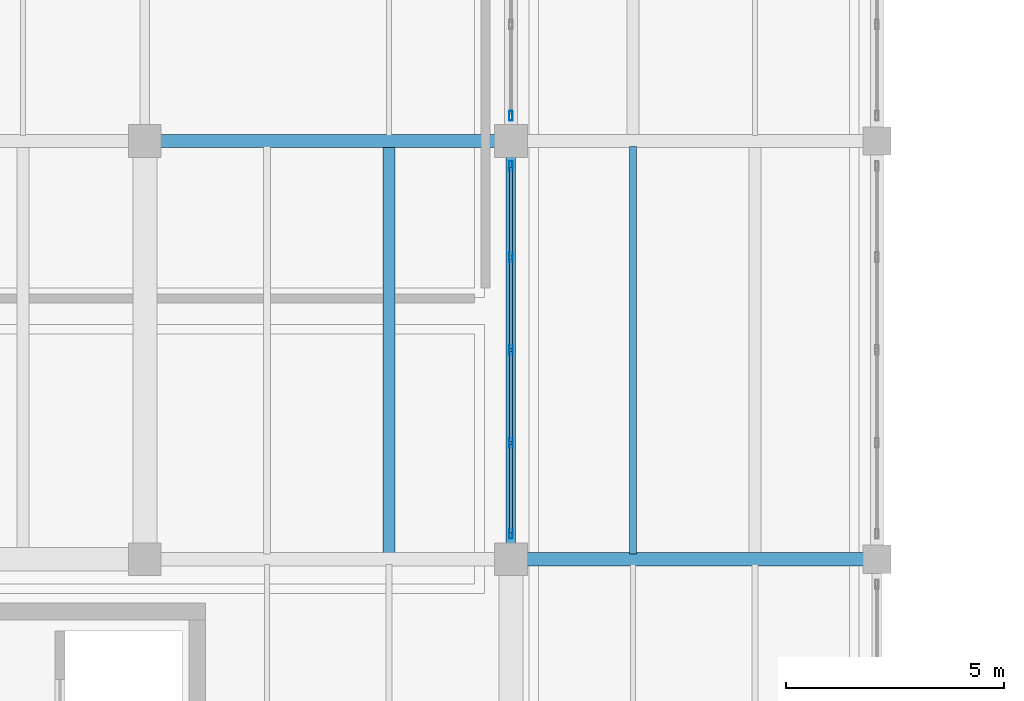
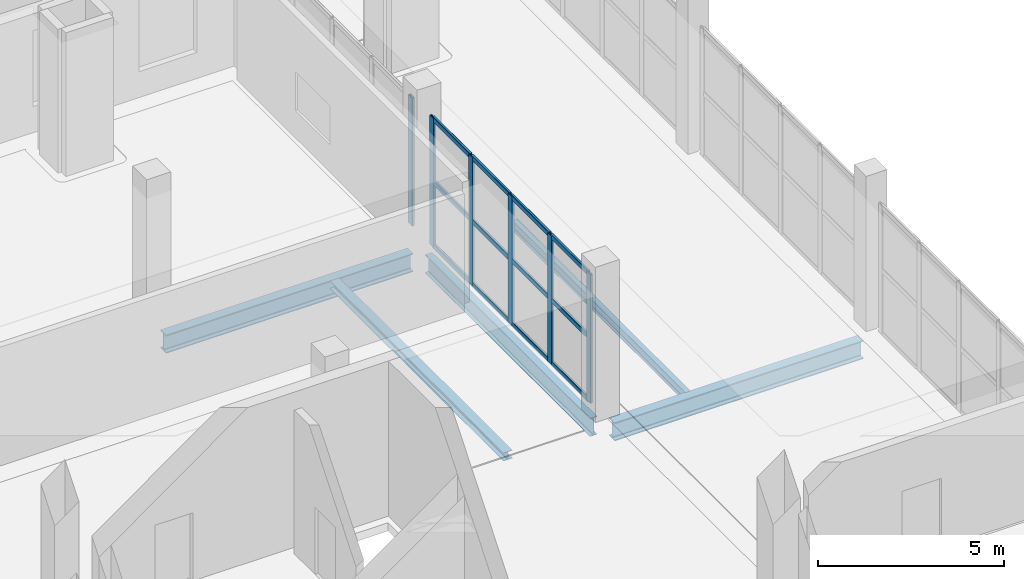
# One storey, part 11 of 73: 18 members, 5 beams, 2 elements without a shape of their own.
"""IFC4 building model written with IfcOpenShell, lengths in metres."""

from ifc_helpers import new_model, si_unit, direction, frame, origin, origin_2d, place, context, subcontext, project, spatial, hollow_rectangle, i_section, extrude, material, layer, layer_set, material_profile, profile_set, type_object, element, aggregate, save


model = new_model("IFC4")

# Units and contexts
model_context = context("Model", 3, precision=1e-05, world=origin(), true_north=direction((0.0, 1.0)))
body_context = subcontext(model_context, "Body", "Model", "MODEL_VIEW")
ifc_project = project(units=[si_unit("LENGTHUNIT", "METRE"), si_unit("AREAUNIT", "SQUARE_METRE"), si_unit("VOLUMEUNIT", "CUBIC_METRE"), si_unit("PLANEANGLEUNIT", "RADIAN"), si_unit("MASSUNIT", "GRAM", prefix="KILO")], contexts=[model_context])

# Site, building, storey
site_placement = place(None, origin())
site = spatial("IfcSite", under=ifc_project, at=site_placement, CompositionType="ELEMENT")
building_placement = place(site_placement, origin())
building = spatial("IfcBuilding", under=site, at=building_placement, Name="Zulmaris Art Gallery", CompositionType="ELEMENT")
storey_placement = place(building_placement, frame((0.0, 0.0, 10.5)))
storey = spatial("IfcBuildingStorey", under=building, at=storey_placement, Name="L02", CompositionType="ELEMENT", Elevation=10.5)

# Beams
ifc_material_1 = material(Name="Steel S355J2", Category="steel")
ifc_material_profile_1 = material_profile(ifc_material_1, i_section(OverallWidth=0.219970703125, OverallDepth=0.60009765625, WebThickness=0.011962890625, FlangeThickness=0.01904296875, FilletRadius=0.02392578125, at=origin_2d()), Name="IPE 600")
ifc_profile_set_1 = profile_set([ifc_material_profile_1], Name="Steel S355J2")
beam_type_1 = type_object("IfcBeamType", Name="BEAM-BM07", PredefinedType="BEAM", material=ifc_profile_set_1)
beam_1_placement = place(storey_placement, frame((82.800048828125, 31.56005859375, -0.699951171875), z_axis=(0.0, 1.0, 0.0), x_axis=(-1.0, 0.0, 0.0)))
element("IfcBeam", 1, at=beam_1_placement, inside=storey, type_object=beam_type_1, Name="L02 Y-girder (x=82.8, 31.2..40.8)", PredefinedType="BEAM", context=body_context, shape_type="SweptSolid", body=[
    extrude(i_section(OverallWidth=0.219970703125, OverallDepth=0.60009765625, WebThickness=0.011962890625, FlangeThickness=0.01904296875, FilletRadius=0.02392578125, at=origin_2d()), origin(), (0.0, 0.0, 1.0), 8.8798828125),
])
ifc_material_profile_2 = material_profile(ifc_material_1, i_section(OverallWidth=0.300048828125, OverallDepth=0.60009765625, WebThickness=0.015380859375, FlangeThickness=0.030029296875, FilletRadius=0.027099609375, at=origin_2d()), Name="HEB 600")
ifc_profile_set_2 = profile_set([ifc_material_profile_2], Name="Steel S355J2")
beam_type_2 = type_object("IfcBeamType", Name="BEAM-BM15", PredefinedType="BEAM", material=ifc_profile_set_2)
beam_2_placement = place(storey_placement, frame((83.159912109375, 31.199951171875, -0.699951171875), z_axis=(1.0, 0.0, 0.0), x_axis=(0.0, 1.0, 0.0)))
element("IfcBeam", 2, at=beam_2_placement, inside=storey, type_object=beam_type_2, Name="L02 X-girder (82.8..91.2, y=31.2)", PredefinedType="BEAM", context=body_context, shape_type="SweptSolid", body=[
    extrude(i_section(OverallWidth=0.300048828125, OverallDepth=0.60009765625, WebThickness=0.015380859375, FlangeThickness=0.030029296875, FilletRadius=0.027099609375, at=origin_2d()), origin(), (0.0, 0.0, 1.0), 7.72998046875),
])
beam_3_placement = place(storey_placement, frame((74.760009765625, 40.800048828125, -0.699951171875), z_axis=(1.0, 0.0, 0.0), x_axis=(0.0, 1.0, 0.0)))
element("IfcBeam", 3, at=beam_3_placement, inside=storey, type_object=beam_type_2, Name="L02 X-girder (74.4..82.8, y=40.8)", PredefinedType="BEAM", context=body_context, shape_type="SweptSolid", body=[
    extrude(i_section(OverallWidth=0.300048828125, OverallDepth=0.60009765625, WebThickness=0.015380859375, FlangeThickness=0.030029296875, FilletRadius=0.027099609375, at=origin_2d()), origin(), (0.0, 0.0, 1.0), 7.679931640625),
])
ifc_material_profile_3 = material_profile(ifc_material_1, i_section(OverallWidth=0.159912109375, OverallDepth=0.330078125, WebThickness=0.007568359375, FlangeThickness=0.011474609375, FilletRadius=0.01806640625, at=origin_2d()), Name="IPE 330")
ifc_profile_set_3 = profile_set([ifc_material_profile_3], Name="Steel S355J2")
beam_type_3 = type_object("IfcBeamType", Name="BEAM-JS03", PredefinedType="JOIST", material=ifc_profile_set_3)
beam_4_placement = place(storey_placement, frame((85.60009765625, 31.324951171875, -0.56494140625), z_axis=(0.0, 1.0, 0.0), x_axis=(-1.0, 0.0, 0.0)))
element("IfcBeam", 4, at=beam_4_placement, inside=storey, type_object=beam_type_3, Name="L02 secondary joist at x=85.6", PredefinedType="JOIST", context=body_context, shape_type="SweptSolid", body=[
    extrude(i_section(OverallWidth=0.159912109375, OverallDepth=0.330078125, WebThickness=0.007568359375, FlangeThickness=0.011474609375, FilletRadius=0.01806640625, at=origin_2d()), origin(), (0.0, 0.0, 1.0), 9.35009765625),
])
ifc_material_profile_4 = material_profile(ifc_material_1, i_section(OverallWidth=0.280029296875, OverallDepth=0.27001953125, WebThickness=0.008056640625, FlangeThickness=0.012939453125, FilletRadius=0.02392578125, at=origin_2d()), Name="HEA 280")
ifc_profile_set_4 = profile_set([ifc_material_profile_4], Name="Steel S355J2")
beam_type_4 = type_object("IfcBeamType", Name="BEAM-JS04", PredefinedType="JOIST", material=ifc_profile_set_4)
beam_5_placement = place(storey_placement, frame((80.0, 31.324951171875, -0.534912109375), z_axis=(0.0, 1.0, 0.0), x_axis=(-1.0, 0.0, 0.0)))
element("IfcBeam", 5, at=beam_5_placement, inside=storey, type_object=beam_type_4, Name="L02 secondary joist at x=80.0", PredefinedType="JOIST", context=body_context, shape_type="SweptSolid", body=[
    extrude(i_section(OverallWidth=0.280029296875, OverallDepth=0.27001953125, WebThickness=0.008056640625, FlangeThickness=0.012939453125, FilletRadius=0.02392578125, at=origin_2d()), origin(), (0.0, 0.0, 1.0), 9.35009765625),
])

# Curtain wall, members
ifc_material_2 = material(Name="Cloister & Court Glazed Curtain Wall", Category="aluminium")
ifc_layer = layer(ifc_material_2, 0.179931640625)
ifc_layer_set = layer_set([ifc_layer], Name="Cloister & Court Glazed Curtain Wall")
curtain_wall_type = type_object("IfcCurtainWallType", Name="CW-CW03", PredefinedType="NOTDEFINED", material=ifc_layer_set)
curtain_wall_1_placement = place(storey_placement, origin())
curtain_wall_1 = element("IfcCurtainWall", 6, at=curtain_wall_1_placement, inside=storey, type_object=curtain_wall_type, Name="L02 curtain wall 79", PredefinedType="NOTDEFINED")
ifc_material_3 = material(Name="Anodised Bronze Aluminium", Category="aluminium")
ifc_material_profile_5 = material_profile(ifc_material_3, hollow_rectangle(XDim=0.074951171875, YDim=0.219970703125, WallThickness=0.0048828125, InnerFilletRadius=0.007568359375, OuterFilletRadius=0.012451171875, at=origin_2d()), Name="ALU 75x220x5")
ifc_profile_set_5 = profile_set([ifc_material_profile_5], Name="Anodised Bronze Aluminium")
member_type_1 = type_object("IfcMemberType", Name="CWMUL-02", PredefinedType="MULLION", material=ifc_profile_set_5)
member_1_placement = place(storey_placement, frame((82.800048828125, 31.777587890625, 0.0), z_axis=(0.0, 0.0, 1.0), x_axis=(-1.0, 0.0, 0.0)))
member_1 = element("IfcMember", 7, at=member_1_placement, type_object=member_type_1, Name="CW03 mullion 1", PredefinedType="MULLION", context=body_context, shape_type="SweptSolid", body=[
    extrude(hollow_rectangle(XDim=0.074951171875, YDim=0.219970703125, WallThickness=0.0048828125, InnerFilletRadius=0.007568359375, OuterFilletRadius=0.012451171875, at=origin_2d()), origin(), (0.0, 0.0, 1.0), 4.22998046875),
])
member_2_placement = place(storey_placement, frame((82.800048828125, 33.8701171875, 0.0), z_axis=(0.0, 0.0, 1.0), x_axis=(-1.0, 0.0, 0.0)))
member_2 = element("IfcMember", 8, at=member_2_placement, type_object=member_type_1, Name="CW03 mullion 2", PredefinedType="MULLION", context=body_context, shape_type="SweptSolid", body=[
    extrude(hollow_rectangle(XDim=0.074951171875, YDim=0.219970703125, WallThickness=0.0048828125, InnerFilletRadius=0.007568359375, OuterFilletRadius=0.012451171875, at=origin_2d()), origin(), (0.0, 0.0, 1.0), 4.22998046875),
])
member_3_placement = place(storey_placement, frame((82.800048828125, 36.0, 0.0), z_axis=(0.0, 0.0, 1.0), x_axis=(-1.0, 0.0, 0.0)))
member_3 = element("IfcMember", 9, at=member_3_placement, type_object=member_type_1, Name="CW03 mullion 3", PredefinedType="MULLION", context=body_context, shape_type="SweptSolid", body=[
    extrude(hollow_rectangle(XDim=0.074951171875, YDim=0.219970703125, WallThickness=0.0048828125, InnerFilletRadius=0.007568359375, OuterFilletRadius=0.012451171875, at=origin_2d()), origin(), (0.0, 0.0, 1.0), 4.22998046875),
])
member_4_placement = place(storey_placement, frame((82.800048828125, 38.1298828125, 0.0), z_axis=(0.0, 0.0, 1.0), x_axis=(-1.0, 0.0, 0.0)))
member_4 = element("IfcMember", 10, at=member_4_placement, type_object=member_type_1, Name="CW03 mullion 4", PredefinedType="MULLION", context=body_context, shape_type="SweptSolid", body=[
    extrude(hollow_rectangle(XDim=0.074951171875, YDim=0.219970703125, WallThickness=0.0048828125, InnerFilletRadius=0.007568359375, OuterFilletRadius=0.012451171875, at=origin_2d()), origin(), (0.0, 0.0, 1.0), 4.22998046875),
])
member_5_placement = place(storey_placement, frame((82.800048828125, 40.222412109375, 0.0), z_axis=(0.0, 0.0, 1.0), x_axis=(-1.0, 0.0, 0.0)))
member_5 = element("IfcMember", 11, at=member_5_placement, type_object=member_type_1, Name="CW03 mullion 5", PredefinedType="MULLION", context=body_context, shape_type="SweptSolid", body=[
    extrude(hollow_rectangle(XDim=0.074951171875, YDim=0.219970703125, WallThickness=0.0048828125, InnerFilletRadius=0.007568359375, OuterFilletRadius=0.012451171875, at=origin_2d()), origin(), (0.0, 0.0, 1.0), 4.22998046875),
])

# Curtain wall, member
curtain_wall_2_placement = place(storey_placement, origin())
curtain_wall_2 = element("IfcCurtainWall", 12, at=curtain_wall_2_placement, inside=storey, type_object=curtain_wall_type, Name="L02 curtain wall 81", PredefinedType="NOTDEFINED")
member_6_placement = place(storey_placement, frame((82.800048828125, 41.37744140625, 0.0), z_axis=(0.0, 0.0, 1.0), x_axis=(-1.0, 0.0, 0.0)))
member_6 = element("IfcMember", 13, at=member_6_placement, type_object=member_type_1, Name="CW03 mullion 1", PredefinedType="MULLION", context=body_context, shape_type="SweptSolid", body=[
    extrude(hollow_rectangle(XDim=0.074951171875, YDim=0.219970703125, WallThickness=0.0048828125, InnerFilletRadius=0.007568359375, OuterFilletRadius=0.012451171875, at=origin_2d()), origin(), (0.0, 0.0, 1.0), 4.2099609375),
])
aggregate(curtain_wall_2, [member_6])

# Member
ifc_material_profile_6 = material_profile(ifc_material_3, hollow_rectangle(XDim=0.074951171875, YDim=0.159912109375, WallThickness=0.00390625, InnerFilletRadius=0.006103515625, OuterFilletRadius=0.010009765625, at=origin_2d()), Name="ALU 75x160x4")
ifc_profile_set_6 = profile_set([ifc_material_profile_6], Name="Anodised Bronze Aluminium")
member_type_2 = type_object("IfcMemberType", Name="CWTRN-02", PredefinedType="USERDEFINED", material=ifc_profile_set_6)
member_7_placement = place(storey_placement, frame((82.800048828125, 31.81494140625, 0.03759765625), z_axis=(0.0, 1.0, 0.0), x_axis=(-1.0, 0.0, 0.0)))
member_7 = element("IfcMember", 14, at=member_7_placement, type_object=member_type_2, Name="CW03 transom 1.1", ObjectType="TRANSOM", PredefinedType="USERDEFINED", context=body_context, shape_type="SweptSolid", body=[
    extrude(hollow_rectangle(XDim=0.074951171875, YDim=0.159912109375, WallThickness=0.00390625, InnerFilletRadius=0.006103515625, OuterFilletRadius=0.010009765625, at=origin_2d()), origin(), (0.0, 0.0, 1.0), 2.017578125),
])

member_8_placement = place(storey_placement, frame((82.800048828125, 31.81494140625, 2.114990234375), z_axis=(0.0, 1.0, 0.0), x_axis=(-1.0, 0.0, 0.0)))
member_8 = element("IfcMember", 15, at=member_8_placement, type_object=member_type_2, Name="CW03 transom 1.2", ObjectType="TRANSOM", PredefinedType="USERDEFINED", context=body_context, shape_type="SweptSolid", body=[
    extrude(hollow_rectangle(XDim=0.074951171875, YDim=0.159912109375, WallThickness=0.00390625, InnerFilletRadius=0.006103515625, OuterFilletRadius=0.010009765625, at=origin_2d()), origin(), (0.0, 0.0, 1.0), 2.017578125),
])

member_9_placement = place(storey_placement, frame((82.800048828125, 31.81494140625, 4.1923828125), z_axis=(0.0, 1.0, 0.0), x_axis=(-1.0, 0.0, 0.0)))
member_9 = element("IfcMember", 16, at=member_9_placement, type_object=member_type_2, Name="CW03 transom 1.3", ObjectType="TRANSOM", PredefinedType="USERDEFINED", context=body_context, shape_type="SweptSolid", body=[
    extrude(hollow_rectangle(XDim=0.074951171875, YDim=0.159912109375, WallThickness=0.00390625, InnerFilletRadius=0.006103515625, OuterFilletRadius=0.010009765625, at=origin_2d()), origin(), (0.0, 0.0, 1.0), 2.017578125),
])

member_10_placement = place(storey_placement, frame((82.800048828125, 33.907470703125, 0.03759765625), z_axis=(0.0, 1.0, 0.0), x_axis=(-1.0, 0.0, 0.0)))
member_10 = element("IfcMember", 17, at=member_10_placement, type_object=member_type_2, Name="CW03 transom 2.1", ObjectType="TRANSOM", PredefinedType="USERDEFINED", context=body_context, shape_type="SweptSolid", body=[
    extrude(hollow_rectangle(XDim=0.074951171875, YDim=0.159912109375, WallThickness=0.00390625, InnerFilletRadius=0.006103515625, OuterFilletRadius=0.010009765625, at=origin_2d()), origin(), (0.0, 0.0, 1.0), 2.054931640625),
])

member_11_placement = place(storey_placement, frame((82.800048828125, 33.907470703125, 2.114990234375), z_axis=(0.0, 1.0, 0.0), x_axis=(-1.0, 0.0, 0.0)))
member_11 = element("IfcMember", 18, at=member_11_placement, type_object=member_type_2, Name="CW03 transom 2.2", ObjectType="TRANSOM", PredefinedType="USERDEFINED", context=body_context, shape_type="SweptSolid", body=[
    extrude(hollow_rectangle(XDim=0.074951171875, YDim=0.159912109375, WallThickness=0.00390625, InnerFilletRadius=0.006103515625, OuterFilletRadius=0.010009765625, at=origin_2d()), origin(), (0.0, 0.0, 1.0), 2.054931640625),
])

member_12_placement = place(storey_placement, frame((82.800048828125, 33.907470703125, 4.1923828125), z_axis=(0.0, 1.0, 0.0), x_axis=(-1.0, 0.0, 0.0)))
member_12 = element("IfcMember", 19, at=member_12_placement, type_object=member_type_2, Name="CW03 transom 2.3", ObjectType="TRANSOM", PredefinedType="USERDEFINED", context=body_context, shape_type="SweptSolid", body=[
    extrude(hollow_rectangle(XDim=0.074951171875, YDim=0.159912109375, WallThickness=0.00390625, InnerFilletRadius=0.006103515625, OuterFilletRadius=0.010009765625, at=origin_2d()), origin(), (0.0, 0.0, 1.0), 2.054931640625),
])

member_13_placement = place(storey_placement, frame((82.800048828125, 36.03759765625, 0.03759765625), z_axis=(0.0, 1.0, 0.0), x_axis=(-1.0, 0.0, 0.0)))
member_13 = element("IfcMember", 20, at=member_13_placement, type_object=member_type_2, Name="CW03 transom 3.1", ObjectType="TRANSOM", PredefinedType="USERDEFINED", context=body_context, shape_type="SweptSolid", body=[
    extrude(hollow_rectangle(XDim=0.074951171875, YDim=0.159912109375, WallThickness=0.00390625, InnerFilletRadius=0.006103515625, OuterFilletRadius=0.010009765625, at=origin_2d()), origin(), (0.0, 0.0, 1.0), 2.054931640625),
])

member_14_placement = place(storey_placement, frame((82.800048828125, 36.03759765625, 2.114990234375), z_axis=(0.0, 1.0, 0.0), x_axis=(-1.0, 0.0, 0.0)))
member_14 = element("IfcMember", 21, at=member_14_placement, type_object=member_type_2, Name="CW03 transom 3.2", ObjectType="TRANSOM", PredefinedType="USERDEFINED", context=body_context, shape_type="SweptSolid", body=[
    extrude(hollow_rectangle(XDim=0.074951171875, YDim=0.159912109375, WallThickness=0.00390625, InnerFilletRadius=0.006103515625, OuterFilletRadius=0.010009765625, at=origin_2d()), origin(), (0.0, 0.0, 1.0), 2.054931640625),
])

member_15_placement = place(storey_placement, frame((82.800048828125, 36.03759765625, 4.1923828125), z_axis=(0.0, 1.0, 0.0), x_axis=(-1.0, 0.0, 0.0)))
member_15 = element("IfcMember", 22, at=member_15_placement, type_object=member_type_2, Name="CW03 transom 3.3", ObjectType="TRANSOM", PredefinedType="USERDEFINED", context=body_context, shape_type="SweptSolid", body=[
    extrude(hollow_rectangle(XDim=0.074951171875, YDim=0.159912109375, WallThickness=0.00390625, InnerFilletRadius=0.006103515625, OuterFilletRadius=0.010009765625, at=origin_2d()), origin(), (0.0, 0.0, 1.0), 2.054931640625),
])

member_16_placement = place(storey_placement, frame((82.800048828125, 38.16748046875, 0.03759765625), z_axis=(0.0, 1.0, 0.0), x_axis=(-1.0, 0.0, 0.0)))
member_16 = element("IfcMember", 23, at=member_16_placement, type_object=member_type_2, Name="CW03 transom 4.1", ObjectType="TRANSOM", PredefinedType="USERDEFINED", context=body_context, shape_type="SweptSolid", body=[
    extrude(hollow_rectangle(XDim=0.074951171875, YDim=0.159912109375, WallThickness=0.00390625, InnerFilletRadius=0.006103515625, OuterFilletRadius=0.010009765625, at=origin_2d()), origin(), (0.0, 0.0, 1.0), 2.017578125),
])

member_17_placement = place(storey_placement, frame((82.800048828125, 38.16748046875, 2.114990234375), z_axis=(0.0, 1.0, 0.0), x_axis=(-1.0, 0.0, 0.0)))
member_17 = element("IfcMember", 24, at=member_17_placement, type_object=member_type_2, Name="CW03 transom 4.2", ObjectType="TRANSOM", PredefinedType="USERDEFINED", context=body_context, shape_type="SweptSolid", body=[
    extrude(hollow_rectangle(XDim=0.074951171875, YDim=0.159912109375, WallThickness=0.00390625, InnerFilletRadius=0.006103515625, OuterFilletRadius=0.010009765625, at=origin_2d()), origin(), (0.0, 0.0, 1.0), 2.017578125),
])

member_18_placement = place(storey_placement, frame((82.800048828125, 38.16748046875, 4.1923828125), z_axis=(0.0, 1.0, 0.0), x_axis=(-1.0, 0.0, 0.0)))
member_18 = element("IfcMember", 25, at=member_18_placement, type_object=member_type_2, Name="CW03 transom 4.3", ObjectType="TRANSOM", PredefinedType="USERDEFINED", context=body_context, shape_type="SweptSolid", body=[
    extrude(hollow_rectangle(XDim=0.074951171875, YDim=0.159912109375, WallThickness=0.00390625, InnerFilletRadius=0.006103515625, OuterFilletRadius=0.010009765625, at=origin_2d()), origin(), (0.0, 0.0, 1.0), 2.017578125),
])

aggregate(curtain_wall_1, [member_1, member_2, member_3, member_4, member_5, member_7, member_8, member_9, member_10, member_11, member_12, member_13, member_14, member_15, member_16, member_17, member_18])

save(model, "model.ifc")
